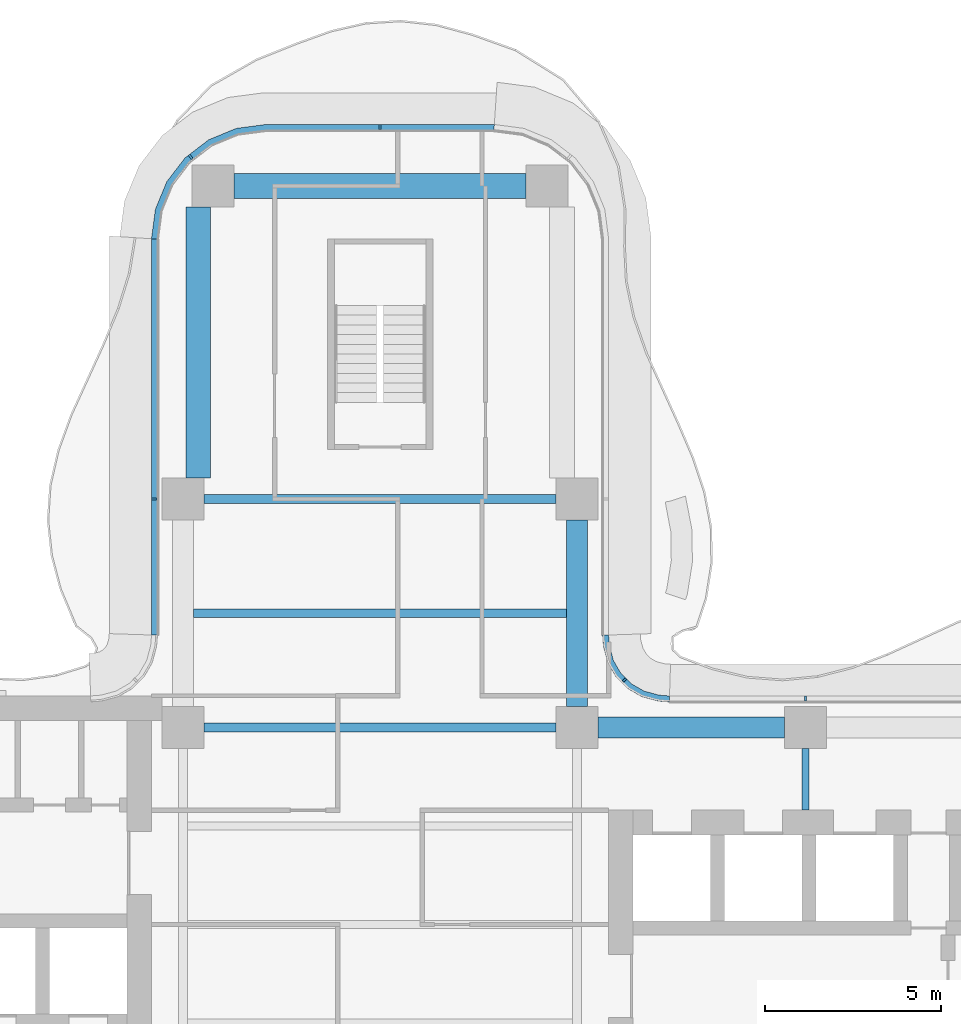
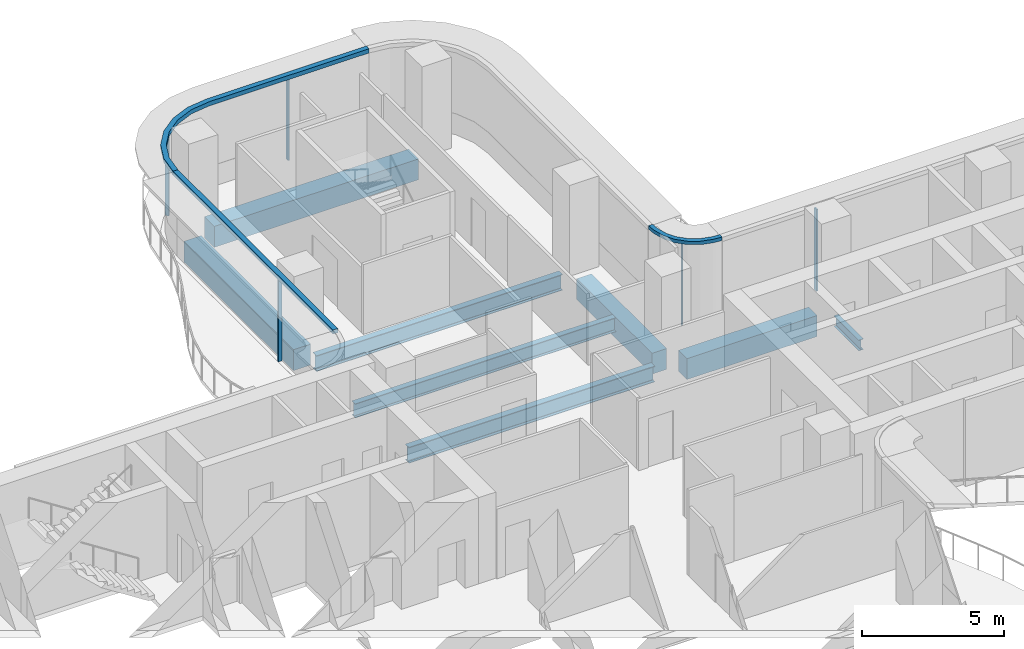
# One storey, part 8 of 18: 8 beams, 8 members, 4 elements without a shape of their own.
"""IFC4 building model written with IfcOpenShell, lengths in metres."""

import ifcopenshell
import ifcopenshell.guid

model = None  # the IFC model being written
_history = None  # IfcOwnerHistory: only IFC2X3 demands one
_inside = {}  # id of a spatial element -> (the spatial element, [elements in it])
_under = {}  # id of a project, library or spatial element -> (it, [spatial elements below it])
_declared = {}  # id of a project -> (the project, [libraries it declares])
_typed = {}  # id of a type object -> (the type object, [elements of that type])
_made_of = {}  # id of a material, layer set ... -> (it, [elements and type objects made of it])


def new_model(schema):
    """Start an empty IFC model of exactly this schema.

    Asked for "IFC4X3", IfcOpenShell would pick the latest addendum, in which some entities
    have other attributes; the version numbers below select the first issue.
    IFC2X3 requires an IfcOwnerHistory on every rooted entity: one is made here for all.
    """
    global model, _history
    if schema == "IFC4X3":
        model = ifcopenshell.file(schema_version=(4, 3, 0, 0))
    else:
        model = ifcopenshell.file(schema=schema)
    _inside.clear()
    _under.clear()
    _declared.clear()
    _typed.clear()
    _made_of.clear()
    _history = None
    if model.schema == "IFC2X3":
        org = make("IfcOrganization", Name="unknown")
        user = make(
            "IfcPersonAndOrganization",
            ThePerson=make("IfcPerson", FamilyName="unknown"),
            TheOrganization=org,
        )
        app = make(
            "IfcApplication",
            ApplicationDeveloper=org,
            Version="unknown",
            ApplicationFullName="unknown",
            ApplicationIdentifier="unknown",
        )
        _history = make(
            "IfcOwnerHistory",
            OwningUser=user,
            OwningApplication=app,
            ChangeAction="ADDED",
            CreationDate=0,
        )
    return model


def make(cls, **values):
    """One entity of the class cls with the attributes given. An attribute that is None is left unset."""
    return model.create_entity(
        cls, **{name: value for name, value in values.items() if value is not None}
    )


def rooted(cls, **values):
    """An entity with a GlobalId (a new one), such as an element, a storey or a relation."""
    return make(cls, GlobalId=ifcopenshell.guid.new(), OwnerHistory=_history, **values)


def si_unit(unit_type, name, prefix=None):
    """IfcSIUnit, for example si_unit("LENGTHUNIT", "METRE", prefix="MILLI")."""
    return make("IfcSIUnit", UnitType=unit_type, Prefix=prefix, Name=name)


def assignment(units):
    """IfcUnitAssignment: the units of a project."""
    return None if units is None else make("IfcUnitAssignment", Units=units)


def point(xyz):
    """IfcCartesianPoint."""
    return None if xyz is None else make("IfcCartesianPoint", Coordinates=xyz)


def direction(xyz):
    """IfcDirection."""
    return None if xyz is None else make("IfcDirection", DirectionRatios=xyz)


def frame(location, z_axis=None, x_axis=None):
    """IfcAxis2Placement3D, a coordinate frame: its origin and axes. An axis left out is left unset."""
    return make(
        "IfcAxis2Placement3D",
        Location=point(location),
        Axis=direction(z_axis),
        RefDirection=direction(x_axis),
    )


def frame_2d(location, x_axis=None):
    """IfcAxis2Placement2D, a coordinate frame in the plane: its origin and x axis."""
    return make(
        "IfcAxis2Placement2D", Location=point(location), RefDirection=direction(x_axis)
    )


def origin():
    """The frame at (0, 0, 0) with its axes left unset."""
    return frame((0.0, 0.0, 0.0))


def origin_2d():
    """The frame at (0, 0) in the plane with its x axis left unset."""
    return frame_2d((0.0, 0.0))


def place(relative_to, where):
    """IfcLocalPlacement: puts the frame where relative to a parent placement (None: the world)."""
    return make(
        "IfcLocalPlacement", PlacementRelTo=relative_to, RelativePlacement=where
    )


def context(
    kind, dimensions, precision=None, world=None, true_north=None, identifier=None
):
    """IfcGeometricRepresentationContext, for example the 3D "Model" context."""
    return make(
        "IfcGeometricRepresentationContext",
        ContextIdentifier=identifier,
        ContextType=kind,
        CoordinateSpaceDimension=dimensions,
        Precision=precision,
        WorldCoordinateSystem=world,
        TrueNorth=true_north,
    )


def subcontext(parent, identifier, kind, view, scale=None):
    """IfcGeometricRepresentationSubContext, for example "Body" below "Model"."""
    return make(
        "IfcGeometricRepresentationSubContext",
        ContextIdentifier=identifier,
        ContextType=kind,
        ParentContext=parent,
        TargetScale=scale,
        TargetView=view,
    )


def project(units=None, contexts=None):
    """IfcProject with its units and contexts."""
    return rooted(
        "IfcProject",
        Name="project",
        RepresentationContexts=contexts,
        UnitsInContext=assignment(units),
    )


def spatial(cls, under=None, at=None, **own):
    """A site, building, storey or space (cls), placed at a placement, below another one or the project."""
    s = rooted(cls, ObjectPlacement=at, **own)
    if under is not None:
        _under.setdefault(under.id(), (under, []))[1].append(s)
    return s


def polyline(points):
    """IfcPolyline through the points."""
    return make("IfcPolyline", Points=[point(p) for p in points])


def profile(cls, at=None, kind="AREA", **sizes):
    """A parametric profile (cls). Its sizes go by their IFC names, for example OverallWidth=200.0."""
    return make(cls, ProfileType=kind, Position=at, **sizes)


def rectangle(**sizes):
    """IfcRectangleProfileDef."""
    return profile("IfcRectangleProfileDef", **sizes)


def i_section(**sizes):
    """IfcIShapeProfileDef."""
    return profile("IfcIShapeProfileDef", **sizes)


def outline(outer, holes=None, kind="AREA"):
    """IfcArbitraryClosedProfileDef: a profile drawn as a closed curve; with holes, ...WithVoids."""
    if holes is None:
        return make("IfcArbitraryClosedProfileDef", ProfileType=kind, OuterCurve=outer)
    return make(
        "IfcArbitraryProfileDefWithVoids",
        ProfileType=kind,
        OuterCurve=outer,
        InnerCurves=holes,
    )


def extrude(swept, where, along, depth):
    """IfcExtrudedAreaSolid: the profile swept, set in the frame where, extruded along a direction by depth."""
    return make(
        "IfcExtrudedAreaSolid",
        SweptArea=swept,
        Position=where,
        ExtrudedDirection=direction(along),
        Depth=depth,
    )


def shape(context_of_items, identifier, shape_type, items):
    """IfcShapeRepresentation: the items that make up one representation, for example the "Body"."""
    return make(
        "IfcShapeRepresentation",
        ContextOfItems=context_of_items,
        RepresentationIdentifier=identifier,
        RepresentationType=shape_type,
        Items=items,
    )


def source(mapping_origin, context_of_items, identifier, shape_type, items):
    """IfcRepresentationMap: a shape defined once, which mapped items show again and again."""
    return make(
        "IfcRepresentationMap",
        MappingOrigin=mapping_origin,
        MappedRepresentation=shape(context_of_items, identifier, shape_type, items),
    )


def transform(
    local_origin,
    x_axis=None,
    y_axis=None,
    z_axis=None,
    scale=None,
    scale2=None,
    scale3=None,
    uniform=True,
):
    """IfcCartesianTransformationOperator3D, or its non-uniform kind. x_axis, y_axis, z_axis: its Axis1, 2, 3."""
    if uniform:
        return make(
            "IfcCartesianTransformationOperator3D",
            Axis1=direction(x_axis),
            Axis2=direction(y_axis),
            LocalOrigin=point(local_origin),
            Scale=scale,
            Axis3=direction(z_axis),
        )
    return make(
        "IfcCartesianTransformationOperator3DnonUniform",
        Axis1=direction(x_axis),
        Axis2=direction(y_axis),
        LocalOrigin=point(local_origin),
        Scale=scale,
        Axis3=direction(z_axis),
        Scale2=scale2,
        Scale3=scale3,
    )


def mapped(mapping_source, mapping_target):
    """IfcMappedItem: shows the shape of a source again, moved by a transform."""
    return make(
        "IfcMappedItem", MappingSource=mapping_source, MappingTarget=mapping_target
    )


def material(Name=None, Category=None):
    """IfcMaterial."""
    return make("IfcMaterial", Name=Name, Category=Category)


def layer(
    of_material, thickness, ventilated=None, Name=None, Category=None, Priority=None
):
    """IfcMaterialLayer: one layer of a wall or slab, of a material (None: an air gap)."""
    return make(
        "IfcMaterialLayer",
        Material=of_material,
        LayerThickness=thickness,
        IsVentilated=ventilated,
        Name=Name,
        Category=Category,
        Priority=Priority,
    )


def layer_set(layers, Name=None):
    """IfcMaterialLayerSet."""
    return make("IfcMaterialLayerSet", MaterialLayers=layers, LayerSetName=Name)


def material_profile(
    of_material, cross_section, Name=None, Category=None, Priority=None
):
    """IfcMaterialProfile: a cross section and its material."""
    return make(
        "IfcMaterialProfile",
        Name=Name,
        Material=of_material,
        Profile=cross_section,
        Priority=Priority,
        Category=Category,
    )


def profile_set(profiles, Name=None, composite=None):
    """IfcMaterialProfileSet."""
    return make(
        "IfcMaterialProfileSet",
        Name=Name,
        MaterialProfiles=profiles,
        CompositeProfile=composite,
    )


def made_of(thing, what):
    """Note that an element or type object is made of a material, layer set ...; save() writes the relation."""
    if what is not None:
        _made_of.setdefault(what.id(), (what, []))[1].append(thing)
    return thing


def type_object(cls, material=None, **own):
    """A type object (cls), such as IfcWallType, which elements share."""
    return made_of(rooted(cls, **own), material)


def element(
    cls,
    number,
    at=None,
    inside=None,
    cuts=None,
    type_object=None,
    material=None,
    context=None,
    identifier="Body",
    shape_type=None,
    held_by="IfcProductDefinitionShape",
    body=None,
    shapes=None,
    **own,
):
    """One element of the class cls, such as IfcWall. Its Tag is "e" and its number.

    at: its placement. inside: the storey or other place that contains it. cuts: it is an
    opening in that element (IfcRelVoidsElement). A single representation is given by context,
    identifier, shape_type and body (its items); several are given by shapes. held_by: the class
    of the entity that holds the representations. save() writes the other relations.
    """
    e = rooted(cls, Tag="e%d" % number, ObjectPlacement=at, **own)
    if body is not None:
        shapes = [shape(context, identifier, shape_type, body)]
    if shapes is not None:
        e.Representation = make(held_by, Representations=shapes)
    if inside is not None:
        _inside.setdefault(inside.id(), (inside, []))[1].append(e)
    if cuts is not None:
        rooted(
            "IfcRelVoidsElement", RelatingBuildingElement=cuts, RelatedOpeningElement=e
        )
    if type_object is not None:
        _typed.setdefault(type_object.id(), (type_object, []))[1].append(e)
    return made_of(e, material)


def aggregate(whole, parts):
    """IfcRelAggregates: a whole, such as a stair, and the parts it consists of."""
    return rooted("IfcRelAggregates", RelatingObject=whole, RelatedObjects=parts)


def save(model, path):
    """Write the relations noted so far, then the file.

    IfcRelAggregates (storeys below a building ...), IfcRelContainedInSpatialStructure (elements
    in a storey), IfcRelDefinesByType, IfcRelAssociatesMaterial and IfcRelDeclares: one each for
    every whole, place, type object, material and project.
    """
    for whole, parts in _under.values():
        aggregate(whole, parts)
    for where, things in _inside.values():
        rooted(
            "IfcRelContainedInSpatialStructure",
            RelatedElements=things,
            RelatingStructure=where,
        )
    for kind, things in _typed.values():
        rooted("IfcRelDefinesByType", RelatedObjects=things, RelatingType=kind)
    for what, things in _made_of.values():
        rooted("IfcRelAssociatesMaterial", RelatedObjects=things, RelatingMaterial=what)
    for by, libraries in _declared.values():
        rooted("IfcRelDeclares", RelatingContext=by, RelatedDefinitions=libraries)
    model.write(path)


model = new_model("IFC4")

# Units and contexts
model_context = context("Model", 3, precision=1e-05, world=origin(), true_north=direction((0.0, 1.0)))
body_context = subcontext(model_context, "Body", "Model", "MODEL_VIEW")
ifc_project = project(units=[si_unit("LENGTHUNIT", "METRE"), si_unit("AREAUNIT", "SQUARE_METRE"), si_unit("VOLUMEUNIT", "CUBIC_METRE"), si_unit("PLANEANGLEUNIT", "RADIAN"), si_unit("MASSUNIT", "GRAM", prefix="KILO")], contexts=[model_context])

# Site, building, storey
site_placement = place(None, origin())
site = spatial("IfcSite", under=ifc_project, at=site_placement, CompositionType="ELEMENT")
building_placement = place(site_placement, origin())
building = spatial("IfcBuilding", under=site, at=building_placement, Name="Trellis Farm Tower", CompositionType="ELEMENT")
storey_placement = place(building_placement, frame((0.0, 0.0, 189.300048828125)))
storey = spatial("IfcBuildingStorey", under=building, at=storey_placement, Name="L41", CompositionType="ELEMENT", Elevation=189.300048828125)

# Beams
ifc_material_1 = material(Name="Concrete C60/75", Category="concrete")
ifc_material_profile_1 = material_profile(ifc_material_1, rectangle(XDim=0.60009765625, YDim=0.89990234375, at=origin_2d()), Name="RC spandrel beam 600x900 C60/75")
ifc_profile_set_1 = profile_set([ifc_material_profile_1], Name="Concrete C60/75")
beam_type_1 = type_object("IfcBeamType", Name="RC spandrel beam 600x900 C60/75", PredefinedType="SPANDREL", material=ifc_profile_set_1)
shared_shape_1 = source(origin(), body_context, "Body", "SweptSolid", [
    extrude(rectangle(XDim=0.60009765625, YDim=0.89990234375, at=origin_2d()), origin(), (0.0, 0.0, 1.0), 5.300048828125),
])
for number, where, z_axis, x_axis, name in (
    (1, (6.199951171875, 5.60009765625, -0.650146484375), (1.0, 0.0, 0.0), (0.0, 1.0, 0.0), "Girder"),
    (2, (5.60009765625, 6.199951171875, -0.650146484375), (0.0, 1.0, 0.0), (-1.0, 0.0, 0.0), "Girder"),
):
    element("IfcBeam", number, at=place(storey_placement, frame(where, z_axis=z_axis, x_axis=x_axis)), inside=storey, type_object=beam_type_1, Name=name, PredefinedType="SPANDREL", context=body_context, shape_type="MappedRepresentation", body=[
        mapped(shared_shape_1, transform((0.0, 0.0, 0.0))),
    ])
ifc_material_2 = material(Name="Steel S355", Category="steel")
ifc_material_profile_2 = material_profile(ifc_material_2, i_section(OverallWidth=0.253662109375, OverallDepth=0.68359375, WebThickness=0.012451171875, FlangeThickness=0.021728515625, FilletRadius=0.01513671875, at=origin_2d()), Name="UB 686x254x140")
ifc_profile_set_2 = profile_set([ifc_material_profile_2], Name="Steel S355")
beam_type_2 = type_object("IfcBeamType", Name="UB 686x254x140", PredefinedType="BEAM", material=ifc_profile_set_2)
shared_shape_2 = source(origin(), body_context, "Body", "SweptSolid", [
    extrude(i_section(OverallWidth=0.253662109375, OverallDepth=0.68359375, WebThickness=0.012451171875, FlangeThickness=0.021728515625, FilletRadius=0.01513671875, at=origin_2d()), origin(), (0.0, 0.0, 1.0), 10.0),
])
for number, where, z_axis, x_axis, name in (
    (3, (-5.0, 5.60009765625, -0.541748046875), (1.0, 0.0, 0.0), (0.0, 1.0, 0.0), "Girder"),
    (4, (-5.0, 12.10009765625, -0.541748046875), (1.0, 0.0, 0.0), (0.0, 1.0, 0.0), "Girder"),
):
    element("IfcBeam", number, at=place(storey_placement, frame(where, z_axis=z_axis, x_axis=x_axis)), inside=storey, type_object=beam_type_2, Name=name, PredefinedType="BEAM", context=body_context, shape_type="MappedRepresentation", body=[
        mapped(shared_shape_2, transform((0.0, 0.0, 0.0))),
    ])
ifc_material_profile_3 = material_profile(ifc_material_1, rectangle(XDim=0.699951171875, YDim=0.89990234375, at=origin_2d()), Name="RC spandrel beam 700x900 C60/75")
ifc_profile_set_3 = profile_set([ifc_material_profile_3], Name="Concrete C60/75")
beam_type_3 = type_object("IfcBeamType", Name="RC spandrel beam 700x900 C60/75", PredefinedType="SPANDREL", material=ifc_profile_set_3)
shared_shape_3 = source(origin(), body_context, "Body", "SweptSolid", [
    extrude(rectangle(XDim=0.699951171875, YDim=0.89990234375, at=origin_2d()), origin(), (0.0, 0.0, 1.0), 8.2998046875),
])
beam_1_placement = place(storey_placement, frame((-4.14990234375, 21.0, -0.650146484375), z_axis=(1.0, 0.0, 0.0), x_axis=(0.0, 1.0, 0.0)))
element("IfcBeam", 5, at=beam_1_placement, inside=storey, type_object=beam_type_3, Name="Girder", PredefinedType="SPANDREL", context=body_context, shape_type="MappedRepresentation", body=[
    mapped(shared_shape_3, transform((0.0, 0.0, 0.0))),
])
ifc_material_profile_4 = material_profile(ifc_material_2, i_section(OverallWidth=0.1904296875, OverallDepth=0.45703125, WebThickness=0.009033203125, FlangeThickness=0.014404296875, FilletRadius=0.01025390625, at=origin_2d()), Name="UB 457x191x74")
ifc_profile_set_4 = profile_set([ifc_material_profile_4], Name="Steel S355")
beam_type_4 = type_object("IfcBeamType", Name="UB 457x191x74", PredefinedType="BEAM", material=ifc_profile_set_4)
shared_shape_4 = source(origin(), body_context, "Body", "SweptSolid", [
    extrude(i_section(OverallWidth=0.1904296875, OverallDepth=0.45703125, WebThickness=0.009033203125, FlangeThickness=0.014404296875, FilletRadius=0.01025390625, at=origin_2d()), origin(), (0.0, 0.0, 1.0), 1.75),
])
beam_2_placement = place(storey_placement, frame((12.10009765625, 3.25, -0.428466796875), z_axis=(0.0, 1.0, 0.0), x_axis=(-1.0, 0.0, 0.0)))
element("IfcBeam", 6, at=beam_2_placement, inside=storey, type_object=beam_type_4, Name="Girder", PredefinedType="BEAM", context=body_context, shape_type="MappedRepresentation", body=[
    mapped(shared_shape_4, transform((0.0, 0.0, 0.0))),
])
ifc_material_profile_5 = material_profile(ifc_material_2, i_section(OverallWidth=0.22900390625, OverallDepth=0.6123046875, WebThickness=0.011962890625, FlangeThickness=0.01953125, FilletRadius=0.0126953125, at=origin_2d()), Name="UB 610x229x125")
ifc_profile_set_5 = profile_set([ifc_material_profile_5], Name="Steel S355")
beam_type_5 = type_object("IfcBeamType", Name="UB 610x229x125 joist", PredefinedType="JOIST", material=ifc_profile_set_5)
shared_shape_5 = source(origin(), body_context, "Body", "SweptSolid", [
    extrude(i_section(OverallWidth=0.22900390625, OverallDepth=0.6123046875, WebThickness=0.011962890625, FlangeThickness=0.01953125, FilletRadius=0.0126953125, at=origin_2d()), origin(), (0.0, 0.0, 1.0), 10.60009765625),
])
beam_3_placement = place(storey_placement, frame((-5.300048828125, 8.85009765625, -0.506103515625), z_axis=(1.0, 0.0, 0.0), x_axis=(0.0, 1.0, 0.0)))
element("IfcBeam", 7, at=beam_3_placement, inside=storey, type_object=beam_type_5, Name="Floor beam", PredefinedType="JOIST", context=body_context, shape_type="MappedRepresentation", body=[
    mapped(shared_shape_5, transform((0.0, 0.0, 0.0))),
])
shared_shape_6 = source(origin(), body_context, "Body", "SweptSolid", [
    extrude(rectangle(XDim=0.699951171875, YDim=0.89990234375, at=origin_2d()), origin(), (0.0, 0.0, 1.0), 7.699951171875),
])
beam_4_placement = place(storey_placement, frame((-5.175048828125, 12.699951171875, -0.650146484375), z_axis=(0.0, 1.0, 0.0), x_axis=(-1.0, 0.0, 0.0)))
element("IfcBeam", 8, at=beam_4_placement, inside=storey, type_object=beam_type_3, Name="Girder", PredefinedType="SPANDREL", context=body_context, shape_type="MappedRepresentation", body=[
    mapped(shared_shape_6, transform((0.0, 0.0, 0.0))),
])

# Curtain wall, member
ifc_material_3 = material(Name="Aluminium and glass curtain wall", Category="aluminium")
ifc_layer_1 = layer(ifc_material_3, 0.166015625)
ifc_layer_set_1 = layer_set([ifc_layer_1], Name="WINTER GARDEN CURTAIN WALL CW3")
curtain_wall_type_1 = type_object("IfcCurtainWallType", Name="WINTER GARDEN CURTAIN WALL CW3", PredefinedType="NOTDEFINED", material=ifc_layer_set_1)
placement_1 = place(storey_placement, origin())
curtain_wall_1 = element("IfcCurtainWall", 9, at=placement_1, inside=storey, type_object=curtain_wall_type_1, Name="CW3 003", PredefinedType="NOTDEFINED")
ifc_material_4 = material(Name="Aluminium extrusion 6063-T6", Category="aluminium")
ifc_layer_2 = layer(ifc_material_4, 0.169921875)
ifc_layer_set_2 = layer_set([ifc_layer_2], Name="Aluminium extrusion 6063-T6")
member_type_1 = type_object("IfcMemberType", Name="CW3 TRANSOM 170x150", PredefinedType="USERDEFINED", material=ifc_layer_set_2)
shared_shape_7 = source(origin(), body_context, "Body", "SweptSolid", [
    extrude(outline(polyline([(8.2314453125, 6.5), (8.01953125, 6.513916015625), (7.91552734375, 6.527587890625), (7.508544921875, 6.63671875), (7.144287109375, 6.846923828125), (6.846923828125, 7.144287109375), (6.63671875, 7.508544921875), (6.527587890625, 7.91552734375), (6.513916015625, 8.01953125), (6.5, 8.2314453125), (6.330078125, 8.225830078125), (6.3447265625, 8.0029296875), (6.360595703125, 7.88232421875), (6.478271484375, 7.44287109375), (6.7109375, 7.0400390625), (7.0400390625, 6.7109375), (7.44287109375, 6.478271484375), (7.88232421875, 6.360595703125), (8.0029296875, 6.3447265625), (8.225830078125, 6.330078125), (8.2314453125, 6.5)])), origin(), (0.0, 0.0, 1.0), 0.14990234375),
])
member_1_placement = place(storey_placement, frame((0.0, 0.0, 3.550048828125)))
member_1 = element("IfcMember", 10, at=member_1_placement, type_object=member_type_1, Name="TR3 003", ObjectType="TRANSOM", PredefinedType="USERDEFINED", context=body_context, shape_type="MappedRepresentation", body=[
    mapped(shared_shape_7, transform((0.0, 0.0, 0.0))),
])

ifc_layer_3 = layer(ifc_material_3, 0.18994140625)
ifc_layer_set_3 = layer_set([ifc_layer_3], Name="RIBBON CURTAIN WALL CW1")
curtain_wall_type_2 = type_object("IfcCurtainWallType", Name="RIBBON CURTAIN WALL CW1", PredefinedType="NOTDEFINED", material=ifc_layer_set_3)
curtain_wall_2 = element("IfcCurtainWall", 11, at=placement_1, inside=storey, type_object=curtain_wall_type_2, Name="CW1 008", PredefinedType="NOTDEFINED")
ifc_material_profile_6 = material_profile(ifc_material_4, rectangle(XDim=0.06005859375, YDim=0.14990234375, at=origin_2d()), Name="MULLION 60x150")
ifc_profile_set_6 = profile_set([ifc_material_profile_6], Name="Aluminium extrusion 6063-T6")
member_type_2 = type_object("IfcMemberType", Name="CW1 MULLION 60x150", PredefinedType="MULLION", material=ifc_profile_set_6)
shared_shape_8 = source(origin(), body_context, "Body", "SweptSolid", [
    extrude(rectangle(XDim=0.06005859375, YDim=0.14990234375, at=origin_2d()), origin(), (0.0, 0.0, 1.0), 3.52001953125),
])
member_2_placement = place(storey_placement, frame((12.10009765625, 6.425048828125, 0.0), z_axis=(0.0, 0.0, 1.0), x_axis=(-1.0, 0.0, 0.0)))
member_2 = element("IfcMember", 12, at=member_2_placement, type_object=member_type_2, Name="MU1 008-02", PredefinedType="MULLION", context=body_context, shape_type="MappedRepresentation", body=[
    mapped(shared_shape_8, transform((0.0, 0.0, 0.0))),
])
aggregate(curtain_wall_2, [member_2])

# Curtain wall, members
curtain_wall_3 = element("IfcCurtainWall", 13, at=placement_1, inside=storey, type_object=curtain_wall_type_2, Name="CW1 010", PredefinedType="NOTDEFINED")
member_3_placement = place(storey_placement, frame((0.0, 22.675048828125, 0.0), z_axis=(0.0, 0.0, 1.0), x_axis=(-1.0, 0.0, 0.0)))
member_3 = element("IfcMember", 14, at=member_3_placement, type_object=member_type_2, Name="MU1 010-01", PredefinedType="MULLION", context=body_context, shape_type="MappedRepresentation", body=[
    mapped(shared_shape_8, transform((0.0, 0.0, 0.0))),
])
member_4_placement = place(storey_placement, frame((-5.385498046875, 21.828369140625, 0.0), z_axis=(0.0, 0.0, 1.0), x_axis=(-0.793353340291, -0.608761429009, 0.0)))
member_4 = element("IfcMember", 15, at=member_4_placement, type_object=member_type_2, Name="MU1 010-02", PredefinedType="MULLION", context=body_context, shape_type="MappedRepresentation", body=[
    mapped(shared_shape_8, transform((0.0, 0.0, 0.0))),
])

# Curtain wall, member
curtain_wall_4 = element("IfcCurtainWall", 16, at=placement_1, inside=storey, type_object=curtain_wall_type_2, Name="CW1 011", PredefinedType="NOTDEFINED")
member_5_placement = place(storey_placement, frame((-6.425048828125, 12.10009765625, 0.0), z_axis=(0.0, 0.0, 1.0), x_axis=(0.0, -1.0, 0.0)))
member_5 = element("IfcMember", 17, at=member_5_placement, type_object=member_type_2, Name="MU1 011-01", PredefinedType="MULLION", context=body_context, shape_type="MappedRepresentation", body=[
    mapped(shared_shape_8, transform((0.0, 0.0, 0.0))),
])

# Member
ifc_material_profile_7 = material_profile(ifc_material_4, rectangle(XDim=0.050048828125, YDim=0.1201171875, at=origin_2d()), Name="MULLION 50x120")
ifc_profile_set_7 = profile_set([ifc_material_profile_7], Name="Aluminium extrusion 6063-T6")
member_type_3 = type_object("IfcMemberType", Name="CW3 MULLION 50x120", PredefinedType="MULLION", material=ifc_profile_set_7)
shared_shape_9 = source(origin(), body_context, "Body", "SweptSolid", [
    extrude(rectangle(XDim=0.050048828125, YDim=0.1201171875, at=origin_2d()), origin(), (0.0, 0.0, 1.0), 3.550048828125),
])
member_6_placement = place(storey_placement, frame((6.953125, 6.953125, 0.0), z_axis=(0.0, 0.0, 1.0), x_axis=(-0.707106781187, 0.707106781187, 0.0)))
member_6 = element("IfcMember", 18, at=member_6_placement, type_object=member_type_3, Name="MU3 003-01", PredefinedType="MULLION", context=body_context, shape_type="MappedRepresentation", body=[
    mapped(shared_shape_9, transform((0.0, 0.0, 0.0))),
])

aggregate(curtain_wall_1, [member_6, member_1])

ifc_layer_4 = layer(ifc_material_4, 0.199951171875)
ifc_layer_set_4 = layer_set([ifc_layer_4], Name="Aluminium extrusion 6063-T6")
member_type_4 = type_object("IfcMemberType", Name="CW1 TRANSOM 200x180", PredefinedType="USERDEFINED", material=ifc_layer_set_4)
shared_shape_10 = source(origin(), body_context, "Body", "SweptSolid", [
    extrude(outline(polyline([(3.25, 22.75), (-3.25, 22.75), (-4.091064453125, 22.63916015625), (-4.875, 22.314697265625), (-5.548095703125, 21.798095703125), (-6.064697265625, 21.125), (-6.38916015625, 20.341064453125), (-6.5, 19.5), (-6.300048828125, 19.48681640625), (-6.1943359375, 20.2890625), (-5.889892578125, 21.024169921875), (-5.405517578125, 21.655517578125), (-4.774169921875, 22.139892578125), (-4.0390625, 22.4443359375), (-3.23681640625, 22.550048828125), (3.23681640625, 22.550048828125), (3.25, 22.75)])), origin(), (0.0, 0.0, 1.0), 0.179931640625),
])
placement_2 = place(storey_placement, frame((0.0, 0.0, 3.52001953125)))
member_7 = element("IfcMember", 19, at=placement_2, type_object=member_type_4, Name="TR1 010", ObjectType="TRANSOM", PredefinedType="USERDEFINED", context=body_context, shape_type="MappedRepresentation", body=[
    mapped(shared_shape_10, transform((0.0, 0.0, 0.0))),
])

aggregate(curtain_wall_3, [member_3, member_4, member_7])

shared_shape_11 = source(origin(), body_context, "Body", "SweptSolid", [
    extrude(outline(polyline([(-6.5, 19.5), (-6.5, 8.2314453125), (-6.300048828125, 8.224853515625), (-6.300048828125, 19.48681640625), (-6.5, 19.5)])), origin(), (0.0, 0.0, 1.0), 0.179931640625),
])
member_8 = element("IfcMember", 20, at=placement_2, type_object=member_type_4, Name="TR1 011", ObjectType="TRANSOM", PredefinedType="USERDEFINED", context=body_context, shape_type="MappedRepresentation", body=[
    mapped(shared_shape_11, transform((0.0, 0.0, 0.0))),
])

aggregate(curtain_wall_4, [member_5, member_8])

save(model, "model.ifc")
